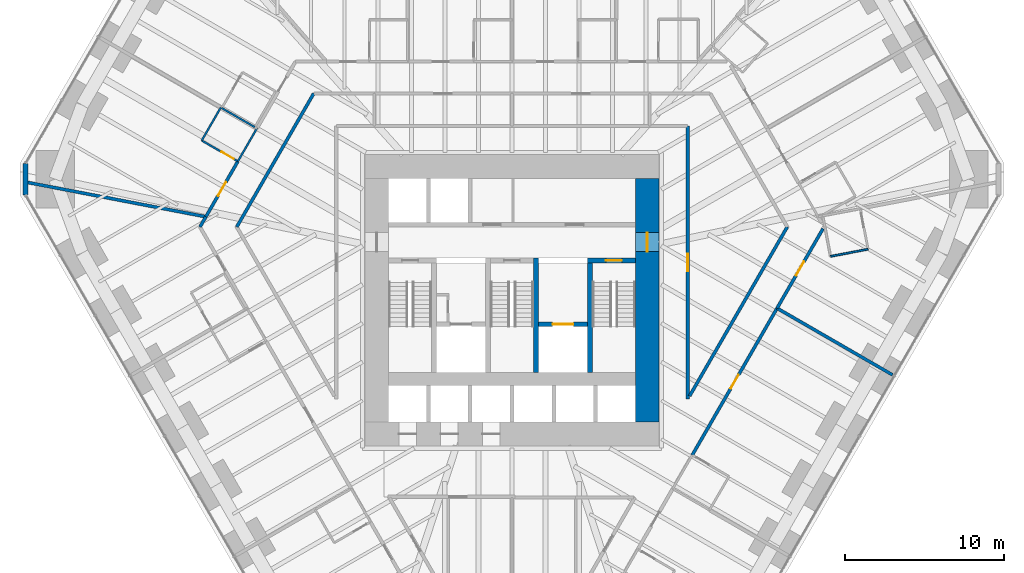
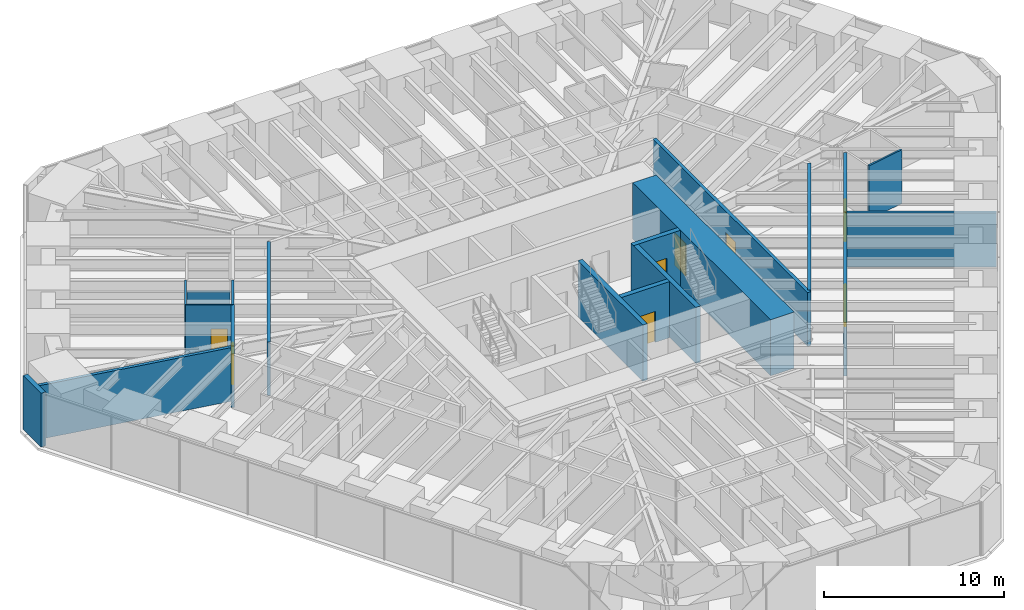
# One storey, part 13 of 17: 20 walls, 8 doors, 8 openings.
"""IFC4 building model written with IfcOpenShell, lengths in metres."""

import ifcopenshell
import ifcopenshell.guid

model = None  # the IFC model being written
_history = None  # IfcOwnerHistory: only IFC2X3 demands one
_inside = {}  # id of a spatial element -> (the spatial element, [elements in it])
_under = {}  # id of a project, library or spatial element -> (it, [spatial elements below it])
_declared = {}  # id of a project -> (the project, [libraries it declares])
_typed = {}  # id of a type object -> (the type object, [elements of that type])
_made_of = {}  # id of a material, layer set ... -> (it, [elements and type objects made of it])


def new_model(schema):
    """Start an empty IFC model of exactly this schema.

    Asked for "IFC4X3", IfcOpenShell would pick the latest addendum, in which some entities
    have other attributes; the version numbers below select the first issue.
    IFC2X3 requires an IfcOwnerHistory on every rooted entity: one is made here for all.
    """
    global model, _history
    if schema == "IFC4X3":
        model = ifcopenshell.file(schema_version=(4, 3, 0, 0))
    else:
        model = ifcopenshell.file(schema=schema)
    _inside.clear()
    _under.clear()
    _declared.clear()
    _typed.clear()
    _made_of.clear()
    _history = None
    if model.schema == "IFC2X3":
        org = make("IfcOrganization", Name="unknown")
        user = make(
            "IfcPersonAndOrganization",
            ThePerson=make("IfcPerson", FamilyName="unknown"),
            TheOrganization=org,
        )
        app = make(
            "IfcApplication",
            ApplicationDeveloper=org,
            Version="unknown",
            ApplicationFullName="unknown",
            ApplicationIdentifier="unknown",
        )
        _history = make(
            "IfcOwnerHistory",
            OwningUser=user,
            OwningApplication=app,
            ChangeAction="ADDED",
            CreationDate=0,
        )
    return model


def make(cls, **values):
    """One entity of the class cls with the attributes given. An attribute that is None is left unset."""
    return model.create_entity(
        cls, **{name: value for name, value in values.items() if value is not None}
    )


def rooted(cls, **values):
    """An entity with a GlobalId (a new one), such as an element, a storey or a relation."""
    return make(cls, GlobalId=ifcopenshell.guid.new(), OwnerHistory=_history, **values)


def si_unit(unit_type, name, prefix=None):
    """IfcSIUnit, for example si_unit("LENGTHUNIT", "METRE", prefix="MILLI")."""
    return make("IfcSIUnit", UnitType=unit_type, Prefix=prefix, Name=name)


def assignment(units):
    """IfcUnitAssignment: the units of a project."""
    return None if units is None else make("IfcUnitAssignment", Units=units)


def point(xyz):
    """IfcCartesianPoint."""
    return None if xyz is None else make("IfcCartesianPoint", Coordinates=xyz)


def direction(xyz):
    """IfcDirection."""
    return None if xyz is None else make("IfcDirection", DirectionRatios=xyz)


def frame(location, z_axis=None, x_axis=None):
    """IfcAxis2Placement3D, a coordinate frame: its origin and axes. An axis left out is left unset."""
    return make(
        "IfcAxis2Placement3D",
        Location=point(location),
        Axis=direction(z_axis),
        RefDirection=direction(x_axis),
    )


def frame_2d(location, x_axis=None):
    """IfcAxis2Placement2D, a coordinate frame in the plane: its origin and x axis."""
    return make(
        "IfcAxis2Placement2D", Location=point(location), RefDirection=direction(x_axis)
    )


def origin():
    """The frame at (0, 0, 0) with its axes left unset."""
    return frame((0.0, 0.0, 0.0))


def place(relative_to, where):
    """IfcLocalPlacement: puts the frame where relative to a parent placement (None: the world)."""
    return make(
        "IfcLocalPlacement", PlacementRelTo=relative_to, RelativePlacement=where
    )


def context(
    kind, dimensions, precision=None, world=None, true_north=None, identifier=None
):
    """IfcGeometricRepresentationContext, for example the 3D "Model" context."""
    return make(
        "IfcGeometricRepresentationContext",
        ContextIdentifier=identifier,
        ContextType=kind,
        CoordinateSpaceDimension=dimensions,
        Precision=precision,
        WorldCoordinateSystem=world,
        TrueNorth=true_north,
    )


def subcontext(parent, identifier, kind, view, scale=None):
    """IfcGeometricRepresentationSubContext, for example "Body" below "Model"."""
    return make(
        "IfcGeometricRepresentationSubContext",
        ContextIdentifier=identifier,
        ContextType=kind,
        ParentContext=parent,
        TargetScale=scale,
        TargetView=view,
    )


def project(units=None, contexts=None):
    """IfcProject with its units and contexts."""
    return rooted(
        "IfcProject",
        Name="project",
        RepresentationContexts=contexts,
        UnitsInContext=assignment(units),
    )


def spatial(cls, under=None, at=None, **own):
    """A site, building, storey or space (cls), placed at a placement, below another one or the project."""
    s = rooted(cls, ObjectPlacement=at, **own)
    if under is not None:
        _under.setdefault(under.id(), (under, []))[1].append(s)
    return s


def profile(cls, at=None, kind="AREA", **sizes):
    """A parametric profile (cls). Its sizes go by their IFC names, for example OverallWidth=200.0."""
    return make(cls, ProfileType=kind, Position=at, **sizes)


def rectangle(**sizes):
    """IfcRectangleProfileDef."""
    return profile("IfcRectangleProfileDef", **sizes)


def extrude(swept, where, along, depth):
    """IfcExtrudedAreaSolid: the profile swept, set in the frame where, extruded along a direction by depth."""
    return make(
        "IfcExtrudedAreaSolid",
        SweptArea=swept,
        Position=where,
        ExtrudedDirection=direction(along),
        Depth=depth,
    )


def shape(context_of_items, identifier, shape_type, items):
    """IfcShapeRepresentation: the items that make up one representation, for example the "Body"."""
    return make(
        "IfcShapeRepresentation",
        ContextOfItems=context_of_items,
        RepresentationIdentifier=identifier,
        RepresentationType=shape_type,
        Items=items,
    )


def material(Name=None, Category=None):
    """IfcMaterial."""
    return make("IfcMaterial", Name=Name, Category=Category)


def layer(
    of_material, thickness, ventilated=None, Name=None, Category=None, Priority=None
):
    """IfcMaterialLayer: one layer of a wall or slab, of a material (None: an air gap)."""
    return make(
        "IfcMaterialLayer",
        Material=of_material,
        LayerThickness=thickness,
        IsVentilated=ventilated,
        Name=Name,
        Category=Category,
        Priority=Priority,
    )


def layer_set(layers, Name=None):
    """IfcMaterialLayerSet."""
    return make("IfcMaterialLayerSet", MaterialLayers=layers, LayerSetName=Name)


def made_of(thing, what):
    """Note that an element or type object is made of a material, layer set ...; save() writes the relation."""
    if what is not None:
        _made_of.setdefault(what.id(), (what, []))[1].append(thing)
    return thing


def type_object(cls, material=None, **own):
    """A type object (cls), such as IfcWallType, which elements share."""
    return made_of(rooted(cls, **own), material)


def element(
    cls,
    number,
    at=None,
    inside=None,
    cuts=None,
    type_object=None,
    material=None,
    context=None,
    identifier="Body",
    shape_type=None,
    held_by="IfcProductDefinitionShape",
    body=None,
    shapes=None,
    **own,
):
    """One element of the class cls, such as IfcWall. Its Tag is "e" and its number.

    at: its placement. inside: the storey or other place that contains it. cuts: it is an
    opening in that element (IfcRelVoidsElement). A single representation is given by context,
    identifier, shape_type and body (its items); several are given by shapes. held_by: the class
    of the entity that holds the representations. save() writes the other relations.
    """
    e = rooted(cls, Tag="e%d" % number, ObjectPlacement=at, **own)
    if body is not None:
        shapes = [shape(context, identifier, shape_type, body)]
    if shapes is not None:
        e.Representation = make(held_by, Representations=shapes)
    if inside is not None:
        _inside.setdefault(inside.id(), (inside, []))[1].append(e)
    if cuts is not None:
        rooted(
            "IfcRelVoidsElement", RelatingBuildingElement=cuts, RelatedOpeningElement=e
        )
    if type_object is not None:
        _typed.setdefault(type_object.id(), (type_object, []))[1].append(e)
    return made_of(e, material)


def fill(opening, filler):
    """IfcRelFillsElement: the door or window that sits in an opening."""
    return rooted(
        "IfcRelFillsElement",
        RelatingOpeningElement=opening,
        RelatedBuildingElement=filler,
    )


def aggregate(whole, parts):
    """IfcRelAggregates: a whole, such as a stair, and the parts it consists of."""
    return rooted("IfcRelAggregates", RelatingObject=whole, RelatedObjects=parts)


def save(model, path):
    """Write the relations noted so far, then the file.

    IfcRelAggregates (storeys below a building ...), IfcRelContainedInSpatialStructure (elements
    in a storey), IfcRelDefinesByType, IfcRelAssociatesMaterial and IfcRelDeclares: one each for
    every whole, place, type object, material and project.
    """
    for whole, parts in _under.values():
        aggregate(whole, parts)
    for where, things in _inside.values():
        rooted(
            "IfcRelContainedInSpatialStructure",
            RelatedElements=things,
            RelatingStructure=where,
        )
    for kind, things in _typed.values():
        rooted("IfcRelDefinesByType", RelatedObjects=things, RelatingType=kind)
    for what, things in _made_of.values():
        rooted("IfcRelAssociatesMaterial", RelatedObjects=things, RelatingMaterial=what)
    for by, libraries in _declared.values():
        rooted("IfcRelDeclares", RelatingContext=by, RelatedDefinitions=libraries)
    model.write(path)


model = new_model("IFC4")

# Units and contexts
model_context = context("Model", 3, precision=1e-05, world=origin(), true_north=direction((0.0, 1.0)))
body_context = subcontext(model_context, "Body", "Model", "MODEL_VIEW")
ifc_project = project(units=[si_unit("LENGTHUNIT", "METRE"), si_unit("AREAUNIT", "SQUARE_METRE"), si_unit("VOLUMEUNIT", "CUBIC_METRE"), si_unit("PLANEANGLEUNIT", "RADIAN"), si_unit("MASSUNIT", "GRAM", prefix="KILO")], contexts=[model_context])

# Site, building, storey
site_placement = place(None, origin())
site = spatial("IfcSite", under=ifc_project, at=site_placement, CompositionType="ELEMENT")
building_placement = place(site_placement, origin())
building = spatial("IfcBuilding", under=site, at=building_placement, Name="Sandreach Pilgrim Tower", CompositionType="ELEMENT")
storey_placement = place(building_placement, frame((0.0, 0.0, 42.0)))
storey = spatial("IfcBuildingStorey", under=building, at=storey_placement, Name="L09", CompositionType="ELEMENT", Elevation=42.0)

# Wall, opening, door
ifc_material_1 = material(Name="Moisture-resistant gypsum board on steel studs", Category="steel")
ifc_layer_1 = layer(ifc_material_1, 0.1201171875)
ifc_layer_set_1 = layer_set([ifc_layer_1], Name="Bathroom partition 120")
wall_type_1 = type_object("IfcWallType", Name="Bathroom partition 120", PredefinedType="PARTITIONING", material=ifc_layer_set_1)
wall_1_placement = place(storey_placement, frame((-19.5, 8.489990234375, 0.0), z_axis=(0.0, 0.0, 1.0), x_axis=(0.866114241029, -0.499846097802, 0.0)))
wall_1 = element("IfcWall", 1, at=wall_1_placement, inside=storey, type_object=wall_type_1, Name="Bathroom partition L09-007", PredefinedType="PARTITIONING", context=body_context, shape_type="SweptSolid", body=[
    extrude(rectangle(XDim=2.620849609375, YDim=0.1201171875, at=frame_2d((1.310546875, 0.0))), origin(), (0.0, 0.0, 1.0), 3.639892578125),
])
opening_1_placement = place(wall_1_placement, frame((1.4208984375, 0.0, 0.0)))
opening_1 = element("IfcOpeningElement", 2, at=opening_1_placement, cuts=wall_1, Name="Opening D09-15B", PredefinedType="OPENING", context=body_context, shape_type="SweptSolid", body=[
    extrude(rectangle(XDim=0.89990234375, YDim=2.030029296875, at=frame_2d((0.449951171875, 1.01513671875))), frame((0.0, 0.06005859375, 0.0), z_axis=(0.0, -1.0, 0.0), x_axis=(1.0, 0.0, 0.0)), (0.0, 0.0, 1.0), 0.1201171875),
])
ifc_material_2 = material(Name="Timber door, steel frame", Category="steel")
door_type_1 = type_object("IfcDoorType", Name="Bathroom door", OperationType="SINGLE_SWING_LEFT", PredefinedType="DOOR", material=ifc_material_2)
door_1_placement = place(opening_1_placement, origin())
door_1 = element("IfcDoor", 3, at=door_1_placement, inside=storey, type_object=door_type_1, Name="Door 0915B", OperationType="SINGLE_SWING_RIGHT", OverallHeight=2.030029296875, OverallWidth=0.89990234375, PredefinedType="DOOR", context=body_context, shape_type="SweptSolid", body=[
    extrude(rectangle(XDim=0.89990234375, YDim=2.030029296875, at=frame_2d((0.449951171875, 1.01513671875))), frame((0.0, 0.02490234375, 0.0), z_axis=(0.0, -1.0, 0.0), x_axis=(1.0, 0.0, 0.0)), (0.0, 0.0, 1.0), 0.050048828125),
])
fill(opening_1, door_1)

# Walls
wall_2_placement = place(storey_placement, frame((-18.300048828125, 10.570068359375, 0.0), z_axis=(0.0, 0.0, 1.0), x_axis=(-0.499693115345, -0.866202511239, 0.0)))
element("IfcWall", 4, at=wall_2_placement, inside=storey, type_object=wall_type_1, Name="Bathroom partition L09-011", PredefinedType="PARTITIONING", context=body_context, shape_type="SweptSolid", body=[
    extrude(rectangle(XDim=2.4013671875, YDim=0.1201171875, at=frame_2d((1.20068359375, 0.0))), origin(), (0.0, 0.0, 1.0), 3.639892578125),
])
wall_3_placement = place(storey_placement, frame((-18.239990234375, 10.530029296875, 0.0), z_axis=(0.0, 0.0, 1.0), x_axis=(0.866202511239, -0.499693115345, 0.0)))
element("IfcWall", 5, at=wall_3_placement, inside=storey, type_object=wall_type_1, Name="Bathroom partition L09-012", PredefinedType="PARTITIONING", context=body_context, shape_type="SweptSolid", body=[
    extrude(rectangle(XDim=2.4013671875, YDim=0.1201171875, at=frame_2d((1.20068359375, 0.0))), origin(), (0.0, 0.0, 1.0), 2.860107421875),
])
wall_4_placement = place(storey_placement, frame((-17.22998046875, 7.179931640625, 0.0), z_axis=(0.0, 0.0, 1.0), x_axis=(0.500009943768, 0.866019662671, 0.0)))
element("IfcWall", 6, at=wall_4_placement, inside=storey, type_object=wall_type_1, Name="Bathroom partition L09-017", PredefinedType="PARTITIONING", context=body_context, shape_type="SweptSolid", body=[
    extrude(rectangle(XDim=2.4013671875, YDim=0.1201171875, at=frame_2d((1.20068359375, 0.0))), origin(), (0.0, 0.0, 1.0), 3.639892578125),
])
wall_5_placement = place(storey_placement, frame((20.02001953125, 1.2099609375, 0.0), z_axis=(0.0, 0.0, 1.0), x_axis=(0.982303859288, 0.187294228499, 0.0)))
element("IfcWall", 7, at=wall_5_placement, inside=storey, type_object=wall_type_1, Name="Bathroom partition L09-129", PredefinedType="PARTITIONING", context=body_context, shape_type="SweptSolid", body=[
    extrude(rectangle(XDim=2.40234375, YDim=0.1201171875, at=frame_2d((1.201171875, 0.0))), origin(), (0.0, 0.0, 1.0), 3.639892578125),
])
ifc_material_3 = material(Name="Concrete 10000 psi", Category="concrete")
ifc_layer_2 = layer(ifc_material_3, 0.300048828125)
ifc_layer_set_2 = layer_set([ifc_layer_2], Name="Core inner wall 300")
wall_type_2 = type_object("IfcWallType", Name="Core inner wall 300", PredefinedType="SHEAR", material=ifc_layer_set_2)
for number, where, z_axis, x_axis, name in (
    (8, (1.5, -6.10009765625, 0.0), (0.0, 0.0, 1.0), (0.0, 1.0, 0.0), "Core wall I2 L09"),
    (9, (4.89990234375, -6.10009765625, 0.0), (0.0, 0.0, 1.0), (0.0, 1.0, 0.0), "Core wall I3 L09"),
):
    element("IfcWall", number, at=place(storey_placement, frame(where, z_axis=z_axis, x_axis=x_axis)), inside=storey, type_object=wall_type_2, Name=name, PredefinedType="SHEAR", context=body_context, shape_type="SweptSolid", body=[
        extrude(rectangle(XDim=7.2001953125, YDim=0.300048828125, at=frame_2d((3.60009765625, 0.0))), origin(), (0.0, 0.0, 1.0), 3.800048828125),
    ])

# Wall, opening, door
wall_6_placement = place(storey_placement, frame((4.75, 0.949951171875, 0.0), z_axis=(0.0, 0.0, 1.0), x_axis=(1.0, 0.0, 0.0)))
wall_6 = element("IfcWall", 10, at=wall_6_placement, inside=storey, type_object=wall_type_2, Name="Core wall SN2 L09", PredefinedType="SHEAR", context=body_context, shape_type="SweptSolid", body=[
    extrude(rectangle(XDim=3.0, YDim=0.300048828125, at=frame_2d((1.5, 0.0))), origin(), (0.0, 0.0, 1.0), 3.800048828125),
])
opening_2_placement = place(wall_6_placement, frame((1.14990234375, 0.0, 0.0)))
opening_2 = element("IfcOpeningElement", 11, at=opening_2_placement, cuts=wall_6, Name="Opening D10S-ST2", PredefinedType="OPENING", context=body_context, shape_type="SweptSolid", body=[
    extrude(rectangle(XDim=1.0, YDim=2.199951171875, at=frame_2d((0.5, 1.10009765625))), frame((0.0, 0.14990234375, 0.0), z_axis=(0.0, -1.0, 0.0), x_axis=(1.0, 0.0, 0.0)), (0.0, 0.0, 1.0), 0.300048828125),
])
ifc_material_4 = material(Name="Steel door and frame", Category="steel")
door_type_2 = type_object("IfcDoorType", Name="Stair door", OperationType="SINGLE_SWING_LEFT", PredefinedType="DOOR", material=ifc_material_4)
door_2_placement = place(opening_2_placement, origin())
door_2 = element("IfcDoor", 12, at=door_2_placement, inside=storey, type_object=door_type_2, Name="Stair door ST2 L09", OperationType="SINGLE_SWING_RIGHT", OverallHeight=2.199951171875, OverallWidth=1.0, PredefinedType="DOOR", context=body_context, shape_type="SweptSolid", body=[
    extrude(rectangle(XDim=1.0, YDim=2.199951171875, at=frame_2d((0.5, 1.10009765625))), frame((0.0, 0.02490234375, 0.0), z_axis=(0.0, -1.0, 0.0), x_axis=(1.0, 0.0, 0.0)), (0.0, 0.0, 1.0), 0.050048828125),
])
fill(opening_2, door_2)

wall_7_placement = place(storey_placement, frame((1.64990234375, -3.050048828125, 0.0), z_axis=(0.0, 0.0, 1.0), x_axis=(1.0, 0.0, 0.0)))
wall_7 = element("IfcWall", 13, at=wall_7_placement, inside=storey, type_object=wall_type_2, Name="Core wall FL2 L09", PredefinedType="SHEAR", context=body_context, shape_type="SweptSolid", body=[
    extrude(rectangle(XDim=3.10009765625, YDim=0.300048828125, at=frame_2d((1.550048828125, 0.0))), origin(), (0.0, 0.0, 1.0), 3.800048828125),
])
opening_3_placement = place(wall_7_placement, frame((0.89990234375, 0.0, 0.0)))
opening_3 = element("IfcOpeningElement", 14, at=opening_3_placement, cuts=wall_7, Name="Opening LD13", PredefinedType="OPENING", context=body_context, shape_type="SweptSolid", body=[
    extrude(rectangle(XDim=1.300048828125, YDim=2.10009765625, at=frame_2d((0.64990234375, 1.050048828125))), frame((0.0, 0.14990234375, 0.0), z_axis=(0.0, -1.0, 0.0), x_axis=(1.0, 0.0, 0.0)), (0.0, 0.0, 1.0), 0.300048828125),
])
ifc_material_5 = material(Name="Steel door and frame", Category="steel")
door_type_3 = type_object("IfcDoorType", Name="Fire service lift landing door", OperationType="DOUBLE_DOOR_SLIDING", PredefinedType="DOOR", material=ifc_material_5)
door_3_placement = place(opening_3_placement, origin())
door_3 = element("IfcDoor", 15, at=door_3_placement, inside=storey, type_object=door_type_3, Name="Lift landing door FS2 L09", OperationType="DOUBLE_DOOR_SLIDING", OverallHeight=2.10009765625, OverallWidth=1.300048828125, PredefinedType="DOOR", context=body_context, shape_type="SweptSolid", body=[
    extrude(rectangle(XDim=1.300048828125, YDim=2.10009765625, at=frame_2d((0.64990234375, 1.050048828125))), frame((0.0, 0.02490234375, 0.0), z_axis=(0.0, -1.0, 0.0), x_axis=(1.0, 0.0, 0.0)), (0.0, 0.0, 1.0), 0.050048828125),
])
fill(opening_3, door_3)

ifc_material_6 = material(Name="Concrete 10000 psi", Category="concrete")
ifc_layer_3 = layer(ifc_material_6, 1.5)
ifc_layer_set_3 = layer_set([ifc_layer_3], Name="Core wall 1500")
wall_type_3 = type_object("IfcWallType", Name="Core wall 1500", PredefinedType="SHEAR", material=ifc_layer_set_3)
wall_8_placement = place(storey_placement, frame((8.5, -9.199951171875, 0.0), z_axis=(0.0, 0.0, 1.0), x_axis=(0.0, 1.0, 0.0)))
wall_8 = element("IfcWall", 16, at=wall_8_placement, inside=storey, type_object=wall_type_3, Name="Core wall E L09", PredefinedType="SHEAR", context=body_context, shape_type="SweptSolid", body=[
    extrude(rectangle(XDim=15.300048828125, YDim=1.5, at=frame_2d((7.64990234375, 0.0))), origin(), (0.0, 0.0, 1.0), 3.800048828125),
])
opening_4_placement = place(wall_8_placement, frame((10.699951171875, 0.0, 0.0)))
opening_4 = element("IfcOpeningElement", 17, at=opening_4_placement, cuts=wall_8, Name="Opening D12F-E", PredefinedType="OPENING", context=body_context, shape_type="SweptSolid", body=[
    extrude(rectangle(XDim=1.199951171875, YDim=2.199951171875, at=frame_2d((0.60009765625, 1.10009765625))), frame((0.0, 0.75, 0.0), z_axis=(0.0, -1.0, 0.0), x_axis=(1.0, 0.0, 0.0)), (0.0, 0.0, 1.0), 1.5),
])
ifc_material_7 = material(Name="Steel door and frame", Category="steel")
door_type_4 = type_object("IfcDoorType", Name="Fire lobby door", OperationType="SINGLE_SWING_LEFT", PredefinedType="DOOR", material=ifc_material_7)
door_4_placement = place(opening_4_placement, origin())
door_4 = element("IfcDoor", 18, at=door_4_placement, inside=storey, type_object=door_type_4, Name="Fire service lobby door E L09", OperationType="SINGLE_SWING_RIGHT", OverallHeight=2.199951171875, OverallWidth=1.199951171875, PredefinedType="DOOR", context=body_context, shape_type="SweptSolid", body=[
    extrude(rectangle(XDim=1.199951171875, YDim=2.199951171875, at=frame_2d((0.60009765625, 1.10009765625))), frame((0.0, 0.02490234375, 0.0), z_axis=(0.0, -1.0, 0.0), x_axis=(1.0, 0.0, 0.0)), (0.0, 0.0, 1.0), 0.050048828125),
])
fill(opening_4, door_4)

# Wall
ifc_material_8 = material(Name="Gypsum board on steel studs, two layers each side", Category="steel")
ifc_layer_4 = layer(ifc_material_8, 0.199951171875)
ifc_layer_set_4 = layer_set([ifc_layer_4], Name="Corridor wall 200")
wall_type_4 = type_object("IfcWallType", Name="Corridor wall 200", PredefinedType="PARTITIONING", material=ifc_layer_set_4)
wall_9_placement = place(storey_placement, frame((-19.610107421875, 3.06005859375, 0.0), z_axis=(0.0, 0.0, 1.0), x_axis=(0.50068472101, 0.865629718844, 0.0)))
element("IfcWall", 19, at=wall_9_placement, inside=storey, type_object=wall_type_4, Name="Corridor wall L09-005", PredefinedType="PARTITIONING", context=body_context, shape_type="SweptSolid", body=[
    extrude(rectangle(XDim=0.7392578125, YDim=0.199951171875, at=frame_2d((0.36962890625, 0.0))), origin(), (0.0, 0.0, 1.0), 3.639892578125),
])

# Wall, opening, door
wall_10_placement = place(storey_placement, frame((-19.239990234375, 3.699951171875, 0.0), z_axis=(0.0, 0.0, 1.0), x_axis=(0.500157149565, 0.865934654428, 0.0)))
wall_10 = element("IfcWall", 20, at=wall_10_placement, inside=storey, type_object=wall_type_4, Name="Corridor wall L09-008", PredefinedType="PARTITIONING", context=body_context, shape_type="SweptSolid", body=[
    extrude(rectangle(XDim=4.018798828125, YDim=0.199951171875, at=frame_2d((2.00927734375, 0.0))), origin(), (0.0, 0.0, 1.0), 3.639892578125),
])
opening_5_placement = place(wall_10_placement, frame((1.509521484375, 0.0, 0.0)))
opening_5 = element("IfcOpeningElement", 21, at=opening_5_placement, cuts=wall_10, Name="Opening D10-15", PredefinedType="OPENING", context=body_context, shape_type="SweptSolid", body=[
    extrude(rectangle(XDim=1.0, YDim=2.1298828125, at=frame_2d((0.5, 1.06494140625))), frame((0.0, 0.10009765625, 0.0), z_axis=(0.0, -1.0, 0.0), x_axis=(1.0, 0.0, 0.0)), (0.0, 0.0, 1.0), 0.199951171875),
])
ifc_material_9 = material(Name="Steel door and frame", Category="steel")
door_type_5 = type_object("IfcDoorType", Name="Guest room entry door", OperationType="SINGLE_SWING_LEFT", PredefinedType="DOOR", material=ifc_material_9)
door_5_placement = place(opening_5_placement, origin())
door_5 = element("IfcDoor", 22, at=door_5_placement, inside=storey, type_object=door_type_5, Name="Door 0915", OperationType="SINGLE_SWING_LEFT", OverallHeight=2.1298828125, OverallWidth=1.0, PredefinedType="DOOR", context=body_context, shape_type="SweptSolid", body=[
    extrude(rectangle(XDim=1.0, YDim=2.1298828125, at=frame_2d((0.5, 1.06494140625))), frame((0.0, 0.02490234375, 0.0), z_axis=(0.0, -1.0, 0.0), x_axis=(1.0, 0.0, 0.0)), (0.0, 0.0, 1.0), 0.050048828125),
])
fill(opening_5, door_5)

# Wall
wall_11_placement = place(storey_placement, frame((-17.300048828125, 3.06005859375, 0.0), z_axis=(0.0, 0.0, 1.0), x_axis=(0.499704269421, 0.866196076603, 0.0)))
element("IfcWall", 23, at=wall_11_placement, inside=storey, type_object=wall_type_4, Name="Corridor wall L09-016", PredefinedType="PARTITIONING", context=body_context, shape_type="SweptSolid", body=[
    extrude(rectangle(XDim=9.685791015625, YDim=0.199951171875, at=frame_2d((4.8427734375, 0.0))), origin(), (0.0, 0.0, 1.0), 3.639892578125),
])

# Wall, opening, door
wall_12_placement = place(storey_placement, frame((11.050048828125, -7.760009765625, 0.0), z_axis=(0.0, 0.0, 1.0), x_axis=(0.0, 1.0, 0.0)))
wall_12 = element("IfcWall", 24, at=wall_12_placement, inside=storey, type_object=wall_type_4, Name="Corridor wall L09-103", PredefinedType="PARTITIONING", context=body_context, shape_type="SweptSolid", body=[
    extrude(rectangle(XDim=17.159912109375, YDim=0.199951171875, at=frame_2d((8.580078125, 0.0))), origin(), (0.0, 0.0, 1.0), 3.639892578125),
])
opening_6_placement = place(wall_12_placement, frame((8.030029296875, 0.0, 0.0)))
opening_6 = element("IfcOpeningElement", 25, at=opening_6_placement, cuts=wall_12, Name="Opening D11H-M04", PredefinedType="OPENING", context=body_context, shape_type="SweptSolid", body=[
    extrude(rectangle(XDim=1.10009765625, YDim=2.199951171875, at=frame_2d((0.550048828125, 1.10009765625))), frame((0.0, 0.10009765625, 0.0), z_axis=(0.0, -1.0, 0.0), x_axis=(1.0, 0.0, 0.0)), (0.0, 0.0, 1.0), 0.199951171875),
])
ifc_material_10 = material(Name="Steel door and frame", Category="steel")
door_type_6 = type_object("IfcDoorType", Name="Back of house door", OperationType="SINGLE_SWING_LEFT", PredefinedType="DOOR", material=ifc_material_10)
door_6_placement = place(opening_6_placement, origin())
door_6 = element("IfcDoor", 26, at=door_6_placement, inside=storey, type_object=door_type_6, Name="Door 09M04", OperationType="SINGLE_SWING_LEFT", OverallHeight=2.199951171875, OverallWidth=1.10009765625, PredefinedType="DOOR", context=body_context, shape_type="SweptSolid", body=[
    extrude(rectangle(XDim=1.10009765625, YDim=2.199951171875, at=frame_2d((0.550048828125, 1.10009765625))), frame((0.0, 0.02490234375, 0.0), z_axis=(0.0, -1.0, 0.0), x_axis=(1.0, 0.0, 0.0)), (0.0, 0.0, 1.0), 0.050048828125),
])
fill(opening_6, door_6)

wall_13_placement = place(storey_placement, frame((11.330078125, -11.280029296875, 0.0), z_axis=(0.0, 0.0, 1.0), x_axis=(0.50006348966, 0.865988744909, 0.0)))
wall_13 = element("IfcWall", 27, at=wall_13_placement, inside=storey, type_object=wall_type_4, Name="Corridor wall L09-104", PredefinedType="PARTITIONING", context=body_context, shape_type="SweptSolid", body=[
    extrude(rectangle(XDim=10.658203125, YDim=0.199951171875, at=frame_2d((5.3291015625, 0.0))), origin(), (0.0, 0.0, 1.0), 3.639892578125),
])
opening_7_placement = place(wall_13_placement, frame((4.8291015625, 0.0, 0.0)))
opening_7 = element("IfcOpeningElement", 28, at=opening_7_placement, cuts=wall_13, Name="Opening D10-08", PredefinedType="OPENING", context=body_context, shape_type="SweptSolid", body=[
    extrude(rectangle(XDim=1.0, YDim=2.1298828125, at=frame_2d((0.5, 1.06494140625))), frame((0.0, 0.10009765625, 0.0), z_axis=(0.0, -1.0, 0.0), x_axis=(1.0, 0.0, 0.0)), (0.0, 0.0, 1.0), 0.199951171875),
])
door_7_placement = place(opening_7_placement, origin())
door_7 = element("IfcDoor", 29, at=door_7_placement, inside=storey, type_object=door_type_5, Name="Door 0908", OperationType="SINGLE_SWING_LEFT", OverallHeight=2.1298828125, OverallWidth=1.0, PredefinedType="DOOR", context=body_context, shape_type="SweptSolid", body=[
    extrude(rectangle(XDim=1.0, YDim=2.1298828125, at=frame_2d((0.5, 1.06494140625))), frame((0.0, 0.02490234375, 0.0), z_axis=(0.0, -1.0, 0.0), x_axis=(1.0, 0.0, 0.0)), (0.0, 0.0, 1.0), 0.050048828125),
])
fill(opening_7, door_7)

wall_14_placement = place(storey_placement, frame((16.659912109375, -2.050048828125, 0.0), z_axis=(0.0, 0.0, 1.0), x_axis=(0.499994452889, 0.866028606387, 0.0)))
wall_14 = element("IfcWall", 30, at=wall_14_placement, inside=storey, type_object=wall_type_4, Name="Corridor wall L09-120", PredefinedType="PARTITIONING", context=body_context, shape_type="SweptSolid", body=[
    extrude(rectangle(XDim=5.775390625, YDim=0.199951171875, at=frame_2d((2.8876953125, 0.0))), origin(), (0.0, 0.0, 1.0), 3.639892578125),
])
opening_8_placement = place(wall_14_placement, frame((2.3876953125, 0.0, 0.0)))
opening_8 = element("IfcOpeningElement", 31, at=opening_8_placement, cuts=wall_14, Name="Opening D10-07", PredefinedType="OPENING", context=body_context, shape_type="SweptSolid", body=[
    extrude(rectangle(XDim=1.0, YDim=2.1298828125, at=frame_2d((0.5, 1.06494140625))), frame((0.0, 0.10009765625, 0.0), z_axis=(0.0, -1.0, 0.0), x_axis=(1.0, 0.0, 0.0)), (0.0, 0.0, 1.0), 0.199951171875),
])
door_8_placement = place(opening_8_placement, origin())
door_8 = element("IfcDoor", 32, at=door_8_placement, inside=storey, type_object=door_type_5, Name="Door 0907", OperationType="SINGLE_SWING_LEFT", OverallHeight=2.1298828125, OverallWidth=1.0, PredefinedType="DOOR", context=body_context, shape_type="SweptSolid", body=[
    extrude(rectangle(XDim=1.0, YDim=2.1298828125, at=frame_2d((0.5, 1.06494140625))), frame((0.0, 0.02490234375, 0.0), z_axis=(0.0, -1.0, 0.0), x_axis=(1.0, 0.0, 0.0)), (0.0, 0.0, 1.0), 0.050048828125),
])
fill(opening_8, door_8)

# Walls
wall_15_placement = place(storey_placement, frame((17.300048828125, 3.06005859375, 0.0), z_axis=(0.0, 0.0, 1.0), x_axis=(-0.500175206663, -0.865924224537, 0.0)))
element("IfcWall", 33, at=wall_15_placement, inside=storey, type_object=wall_type_4, Name="Corridor wall L09-121", PredefinedType="PARTITIONING", context=body_context, shape_type="SweptSolid", body=[
    extrude(rectangle(XDim=12.275390625, YDim=0.199951171875, at=frame_2d((6.1376953125, 0.0))), origin(), (0.0, 0.0, 1.0), 3.639892578125),
])
ifc_material_11 = material(Name="Double steel stud acoustic wall, gypsum board", Category="steel")
ifc_layer_5 = layer(ifc_material_11, 0.199951171875)
ifc_layer_set_5 = layer_set([ifc_layer_5], Name="Party wall 200")
wall_type_5 = type_object("IfcWallType", Name="Party wall 200", PredefinedType="PARTITIONING", material=ifc_layer_set_5)
wall_16_placement = place(storey_placement, frame((-30.590576171875, 5.88427734375, 0.0), z_axis=(0.0, 0.0, 1.0), x_axis=(0.981983289605, -0.188967772219, 0.0)))
element("IfcWall", 34, at=wall_16_placement, inside=storey, type_object=wall_type_5, Name="Party wall L09-001", PredefinedType="PARTITIONING", context=body_context, shape_type="SweptSolid", body=[
    extrude(rectangle(XDim=11.5087890625, YDim=0.199951171875, at=frame_2d((5.75439453125, 0.0))), origin(), (0.0, 0.0, 1.0), 3.639892578125),
])
wall_17_placement = place(storey_placement, frame((23.916015625, -6.239990234375, 0.0), z_axis=(0.0, 0.0, 1.0), x_axis=(-0.865982991691, 0.500073452706, 0.0)))
element("IfcWall", 35, at=wall_17_placement, inside=storey, type_object=wall_type_5, Name="Party wall L09-134", PredefinedType="PARTITIONING", context=body_context, shape_type="SweptSolid", body=[
    extrude(rectangle(XDim=8.368896484375, YDim=0.199951171875, at=frame_2d((4.1845703125, 0.0))), origin(), (0.0, 0.0, 1.0), 3.639892578125),
])
ifc_material_12 = material(Name="Terracotta rainscreen on concrete", Category="masonry")
ifc_layer_6 = layer(ifc_material_12, 0.300048828125)
ifc_layer_set_6 = layer_set([ifc_layer_6], Name="Terracotta chamfer pier")
wall_type_6 = type_object("IfcWallType", Name="Terracotta chamfer pier", PredefinedType="SOLIDWALL", material=ifc_layer_set_6)
wall_18_placement = place(storey_placement, frame((-30.576171875, 5.062255859375, 0.0), z_axis=(0.0, 0.0, 1.0), x_axis=(0.0, 1.0, 0.0)))
element("IfcWall", 36, at=wall_18_placement, inside=storey, type_object=wall_type_6, Name="Chamfer pier L09 SW", PredefinedType="SOLIDWALL", context=body_context, shape_type="SweptSolid", body=[
    extrude(rectangle(XDim=2.0, YDim=0.300048828125, at=frame_2d((1.0, 0.0))), origin(), (0.0, 0.0, 1.0), 3.639892578125),
])

save(model, "model.ifc")
